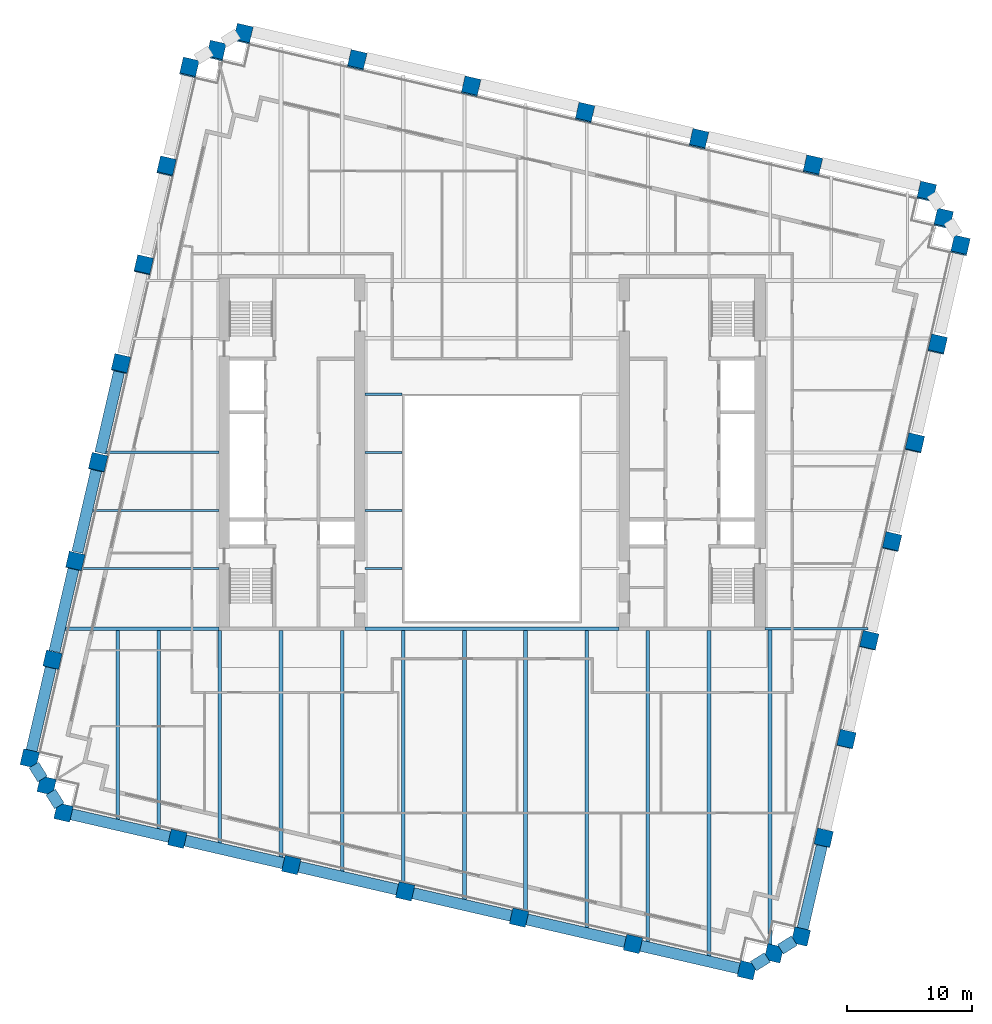
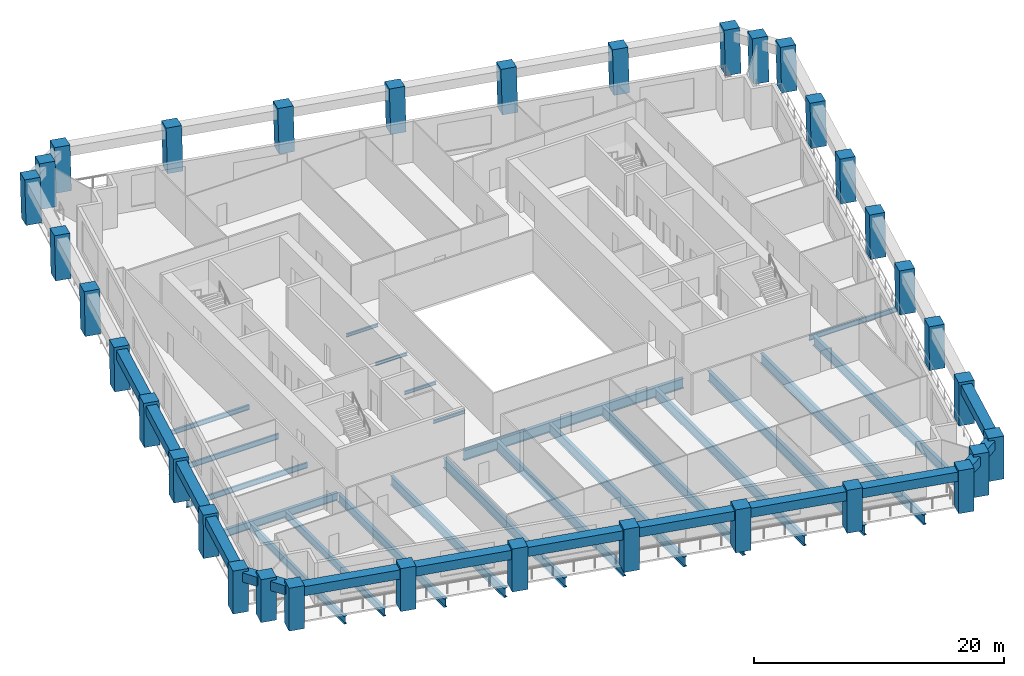
# One storey, part 1 of 9: 37 beams, 34 columns.
"""IFC4 building model written with IfcOpenShell, lengths in metres."""

from ifc_helpers import new_model, si_unit, direction, frame, origin, origin_2d, place, context, subcontext, project, spatial, rectangle, i_section, extrude, material, material_profile, profile_set, type_object, element, save


model = new_model("IFC4")

# Units and contexts
model_context = context("Model", 3, precision=1e-05, world=origin(), true_north=direction((0.0, 1.0)))
body_context = subcontext(model_context, "Body", "Model", "MODEL_VIEW")
ifc_project = project(units=[si_unit("LENGTHUNIT", "METRE"), si_unit("AREAUNIT", "SQUARE_METRE"), si_unit("VOLUMEUNIT", "CUBIC_METRE"), si_unit("PLANEANGLEUNIT", "RADIAN"), si_unit("MASSUNIT", "GRAM", prefix="KILO")], contexts=[model_context])

# Site, building, storey
site_placement = place(None, origin())
site = spatial("IfcSite", under=ifc_project, at=site_placement, CompositionType="ELEMENT")
building_placement = place(site_placement, origin())
building = spatial("IfcBuilding", under=site, at=building_placement, Name="Ogive Exchange Tower", CompositionType="ELEMENT")
storey_placement = place(building_placement, frame((0.0, 0.0, 122.39990234375)))
storey = spatial("IfcBuildingStorey", under=building, at=storey_placement, Name="L26", CompositionType="ELEMENT", Elevation=122.39990234375)

# Columns
ifc_material_1 = material(Name="Precast concrete C70/85 (limestone faced)", Category="masonry")
ifc_material_profile_1 = material_profile(ifc_material_1, rectangle(XDim=1.300048828125, YDim=1.300048828125, at=origin_2d()), Name="1300 x 1300")
ifc_profile_set_1 = profile_set([ifc_material_profile_1], Name="Precast concrete C70/85 (limestone faced)")
column_type = type_object("IfcColumnType", Name="Precast exoskeleton leg 1300 x 1300 C70/85", PredefinedType="COLUMN", material=ifc_profile_set_1)
for number, where, z_axis, x_axis, name in (
    (1, (-34.281982421875, -17.298095703125, 0.0), (0.0, 0.0, 1.0), (0.974370064785, -0.224951054344, 0.0), "Exoskeleton leg 1"),
    (2, (-25.171630859375, -19.401611328125, 0.0), (0.0, 0.0, 1.0), (0.974370064785, -0.224951054344, 0.0), "Exoskeleton leg 2"),
    (3, (-16.061279296875, -21.504638671875, 0.0), (0.0, 0.0, 1.0), (0.974370064785, -0.224951054344, 0.0), "Exoskeleton leg 3"),
    (4, (-6.950927734375, -23.60791015625, 0.0), (0.0, 0.0, 1.0), (0.974370064785, -0.224951054344, 0.0), "Exoskeleton leg 4"),
    (5, (2.159423828125, -25.711181640625, 0.0), (0.0, 0.0, 1.0), (0.974370064785, -0.224951054344, 0.0), "Exoskeleton leg 5"),
    (6, (11.269775390625, -27.814697265625, 0.0), (0.0, 0.0, 1.0), (0.974370064785, -0.224951054344, 0.0), "Exoskeleton leg 6"),
    (7, (20.380126953125, -29.91796875, 0.0), (0.0, 0.0, 1.0), (0.974370064785, -0.224951054344, 0.0), "Exoskeleton leg 7"),
    (8, (24.697509765625, -27.219970703125, 0.0), (0.0, 0.0, 1.0), (0.974370064785, -0.224951054344, 0.0), "Exoskeleton leg 8"),
):
    element("IfcColumn", number, at=place(storey_placement, frame(where, z_axis=z_axis, x_axis=x_axis)), inside=storey, type_object=column_type, Name=name, PredefinedType="COLUMN", context=body_context, shape_type="SweptSolid", body=[
        extrude(rectangle(XDim=1.300048828125, YDim=1.300048828125, at=origin_2d()), origin(), (0.0, 0.0, 1.0), 4.2001953125),
    ])
column_1_placement = place(storey_placement, frame((26.518798828125, -19.331298828125, 0.0), z_axis=(0.002906057426, 0.012612289227, 0.999916238987), x_axis=(-0.974466825284, 0.224531526563, 0.0)))
element("IfcColumn", 9, at=column_1_placement, inside=storey, type_object=column_type, Name="Exoskeleton leg 9", PredefinedType="COLUMN", context=body_context, shape_type="SweptSolid", body=[
    extrude(rectangle(XDim=1.300048828125, YDim=1.300048828125, at=origin_2d()), origin(), (0.0, 0.0, 1.0), 4.200439453125),
])
column_2_placement = place(storey_placement, frame((28.340087890625, -11.44287109375, 0.0), z_axis=(0.005810637908, 0.02533438128, 0.999662145733), x_axis=(-0.974691740237, 0.22355315143, 0.0)))
element("IfcColumn", 10, at=column_2_placement, inside=storey, type_object=column_type, Name="Exoskeleton leg 10", PredefinedType="COLUMN", context=body_context, shape_type="SweptSolid", body=[
    extrude(rectangle(XDim=1.300048828125, YDim=1.300048828125, at=origin_2d()), origin(), (0.0, 0.0, 1.0), 4.20166015625),
])
column_3_placement = place(storey_placement, frame((30.161376953125, -3.55419921875, 0.0), z_axis=(0.008712298116, 0.0379275378, 0.999242511975), x_axis=(-0.974617095667, 0.223878352757, 0.0)))
element("IfcColumn", 11, at=column_3_placement, inside=storey, type_object=column_type, Name="Exoskeleton leg 11", PredefinedType="COLUMN", context=body_context, shape_type="SweptSolid", body=[
    extrude(rectangle(XDim=1.300048828125, YDim=1.300048828125, at=origin_2d()), origin(), (0.0, 0.0, 1.0), 4.203369140625),
])
column_4_placement = place(storey_placement, frame((31.982666015625, 4.33447265625, 0.0), z_axis=(0.011609550877, 0.05055959407, 0.998653566446), x_axis=(-0.974635787342, 0.223796966095, 0.0)))
element("IfcColumn", 12, at=column_4_placement, inside=storey, type_object=column_type, Name="Exoskeleton leg 12", PredefinedType="COLUMN", context=body_context, shape_type="SweptSolid", body=[
    extrude(rectangle(XDim=1.300048828125, YDim=1.300048828125, at=origin_2d()), origin(), (0.0, 0.0, 1.0), 4.205810546875),
])
column_5_placement = place(storey_placement, frame((33.8037109375, 12.222900390625, 0.0), z_axis=(0.014558945825, 0.063166103598, 0.997896828561), x_axis=(-0.97445148511, 0.224598092528, 0.0)))
element("IfcColumn", 13, at=column_5_placement, inside=storey, type_object=column_type, Name="Exoskeleton leg 13", PredefinedType="COLUMN", context=body_context, shape_type="SweptSolid", body=[
    extrude(rectangle(XDim=1.300048828125, YDim=1.300048828125, at=origin_2d()), origin(), (0.0, 0.0, 1.0), 4.208984375),
])
column_6_placement = place(storey_placement, frame((35.625, 20.111572265625, 0.0), z_axis=(0.017443081717, 0.075683271502, 0.996979328429), x_axis=(-0.974454034257, 0.224587032398, 0.0)))
element("IfcColumn", 14, at=column_6_placement, inside=storey, type_object=column_type, Name="Exoskeleton leg 14", PredefinedType="COLUMN", context=body_context, shape_type="SweptSolid", body=[
    extrude(rectangle(XDim=1.300048828125, YDim=1.300048828125, at=origin_2d()), origin(), (0.0, 0.0, 1.0), 4.212890625),
])
for number, where, z_axis, x_axis, name in (
    (15, (37.4462890625, 28.000244140625, 0.0), (0.020318455144, 0.088220300968, 0.995893738748), (-0.974488096918, 0.224439187676, 0.0), "Exoskeleton leg 15"),
    (16, (34.748291015625, 32.31787109375, 0.0), (0.020376422505, 0.088162759874, 0.995897649951), (-0.97431566651, 0.225186549318, 0.0), "Exoskeleton leg 16"),
    (17, (25.637939453125, 34.421142578125, 0.0), (0.02037631848, 0.088220197057, 0.99589256573), (-0.97434807649, 0.225046274885, 0.0), "Exoskeleton leg 17"),
    (18, (16.527587890625, 36.5244140625, 0.0), (0.02037631848, 0.088220197057, 0.99589256573), (-0.97434807649, 0.225046274885, 0.0), "Exoskeleton leg 18"),
    (19, (7.417236328125, 38.627685546875, 0.0), (0.02037631848, 0.088220197057, 0.99589256573), (-0.97434807649, 0.225046274885, 0.0), "Exoskeleton leg 19"),
    (20, (-1.693115234375, 40.73095703125, 0.0), (0.02037631848, 0.088220197057, 0.99589256573), (-0.97434807649, 0.225046274885, 0.0), "Exoskeleton leg 20"),
    (21, (-10.803466796875, 42.834228515625, 0.0), (0.02037631848, 0.088220197057, 0.99589256573), (-0.97434807649, 0.225046274885, 0.0), "Exoskeleton leg 21"),
    (22, (-19.913818359375, 44.9375, 0.0), (0.02037631848, 0.088220197057, 0.99589256573), (-0.97434807649, 0.225046274885, 0.0), "Exoskeleton leg 22"),
    (23, (-24.2314453125, 42.239501953125, 0.0), (0.02037631848, 0.088220197057, 0.99589256573), (-0.97434807649, 0.225046274885, 0.0), "Exoskeleton leg 23"),
):
    element("IfcColumn", number, at=place(storey_placement, frame(where, z_axis=z_axis, x_axis=x_axis)), inside=storey, type_object=column_type, Name=name, PredefinedType="COLUMN", context=body_context, shape_type="SweptSolid", body=[
        extrude(rectangle(XDim=1.300048828125, YDim=1.300048828125, at=origin_2d()), origin(), (0.0, 0.0, 1.0), 4.217529296875),
    ])
column_7_placement = place(storey_placement, frame((-26.052490234375, 34.35107421875, 0.0), z_axis=(0.017443081717, 0.075683271502, 0.996979328429), x_axis=(-0.974454034257, 0.224587032398, 0.0)))
element("IfcColumn", 24, at=column_7_placement, inside=storey, type_object=column_type, Name="Exoskeleton leg 24", PredefinedType="COLUMN", context=body_context, shape_type="SweptSolid", body=[
    extrude(rectangle(XDim=1.300048828125, YDim=1.300048828125, at=origin_2d()), origin(), (0.0, 0.0, 1.0), 4.212890625),
])
column_8_placement = place(storey_placement, frame((-27.873779296875, 26.46240234375, 0.0), z_axis=(0.014558999143, 0.063108330945, 0.997900483069), x_axis=(-0.97440628778, 0.224794097641, 0.0)))
element("IfcColumn", 25, at=column_8_placement, inside=storey, type_object=column_type, Name="Exoskeleton leg 25", PredefinedType="COLUMN", context=body_context, shape_type="SweptSolid", body=[
    extrude(rectangle(XDim=1.300048828125, YDim=1.300048828125, at=origin_2d()), origin(), (0.0, 0.0, 1.0), 4.208984375),
])
column_9_placement = place(storey_placement, frame((-29.695068359375, 18.57373046875, 0.0), z_axis=(0.011667590749, 0.050559559912, 0.998652891764), x_axis=(-0.974391195695, 0.224859506699, 0.0)))
element("IfcColumn", 26, at=column_9_placement, inside=storey, type_object=column_type, Name="Exoskeleton leg 26", PredefinedType="COLUMN", context=body_context, shape_type="SweptSolid", body=[
    extrude(rectangle(XDim=1.300048828125, YDim=1.300048828125, at=origin_2d()), origin(), (0.0, 0.0, 1.0), 4.205810546875),
])
column_10_placement = place(storey_placement, frame((-31.516357421875, 10.685302734375, 0.0), z_axis=(0.008770394957, 0.037869519945, 0.999244204202), x_axis=(-0.974214614928, 0.225623323396, 0.0)))
element("IfcColumn", 27, at=column_10_placement, inside=storey, type_object=column_type, Name="Exoskeleton leg 27", PredefinedType="COLUMN", context=body_context, shape_type="SweptSolid", body=[
    extrude(rectangle(XDim=1.300048828125, YDim=1.300048828125, at=origin_2d()), origin(), (0.0, 0.0, 1.0), 4.203369140625),
])
column_11_placement = place(storey_placement, frame((-33.33740234375, 2.796630859375, 0.0), z_axis=(0.005810646452, 0.025276312067, 0.999663615641), x_axis=(-0.974579651079, 0.224041299099, 0.0)))
element("IfcColumn", 28, at=column_11_placement, inside=storey, type_object=column_type, Name="Exoskeleton leg 28", PredefinedType="COLUMN", context=body_context, shape_type="SweptSolid", body=[
    extrude(rectangle(XDim=1.300048828125, YDim=1.300048828125, at=origin_2d()), origin(), (0.0, 0.0, 1.0), 4.20166015625),
])
column_12_placement = place(storey_placement, frame((-35.15869140625, -5.092041015625, 0.0), z_axis=(0.00290605529, 0.012670401066, 0.99991550432), x_axis=(-0.974691740237, 0.22355315143, 0.0)))
element("IfcColumn", 29, at=column_12_placement, inside=storey, type_object=column_type, Name="Exoskeleton leg 29", PredefinedType="COLUMN", context=body_context, shape_type="SweptSolid", body=[
    extrude(rectangle(XDim=1.300048828125, YDim=1.300048828125, at=origin_2d()), origin(), (0.0, 0.0, 1.0), 4.200439453125),
])
for number, where, z_axis, x_axis, name in (
    (30, (-36.97998046875, -12.980712890625, 0.0), (0.0, 0.0, 1.0), (0.974370064785, -0.224951054344, 0.0), "Exoskeleton leg 30"),
    (31, (22.538818359375, -28.569091796875, 0.0), (0.0, 0.0, 1.0), (0.974370064785, -0.224951054344, 0.0), "Exoskeleton leg 31"),
):
    element("IfcColumn", number, at=place(storey_placement, frame(where, z_axis=z_axis, x_axis=x_axis)), inside=storey, type_object=column_type, Name=name, PredefinedType="COLUMN", context=body_context, shape_type="SweptSolid", body=[
        extrude(rectangle(XDim=1.300048828125, YDim=1.300048828125, at=origin_2d()), origin(), (0.0, 0.0, 1.0), 4.2001953125),
    ])
for number, where, z_axis, x_axis, name in (
    (32, (36.097412109375, 30.158935546875, 0.0), (0.020318455144, 0.088220300968, 0.995893738748), (-0.974488096918, 0.224439187676, 0.0), "Exoskeleton leg 32"),
    (33, (-22.072509765625, 43.588623046875, 0.0), (0.020318455144, 0.088220300968, 0.995893738748), (-0.974488096918, 0.224439187676, 0.0), "Exoskeleton leg 33"),
):
    element("IfcColumn", number, at=place(storey_placement, frame(where, z_axis=z_axis, x_axis=x_axis)), inside=storey, type_object=column_type, Name=name, PredefinedType="COLUMN", context=body_context, shape_type="SweptSolid", body=[
        extrude(rectangle(XDim=1.300048828125, YDim=1.300048828125, at=origin_2d()), origin(), (0.0, 0.0, 1.0), 4.217529296875),
    ])
column_13_placement = place(storey_placement, frame((-35.631103515625, -15.139404296875, 0.0), z_axis=(0.0, 0.0, 1.0), x_axis=(0.974370064785, -0.224951054344, 0.0)))
element("IfcColumn", 34, at=column_13_placement, inside=storey, type_object=column_type, Name="Exoskeleton leg 34", PredefinedType="COLUMN", context=body_context, shape_type="SweptSolid", body=[
    extrude(rectangle(XDim=1.300048828125, YDim=1.300048828125, at=origin_2d()), origin(), (0.0, 0.0, 1.0), 4.2001953125),
])

# Beams
ifc_material_2 = material(Name="Steel ASTM A992 Gr50", Category="steel")
ifc_material_profile_2 = material_profile(ifc_material_2, i_section(OverallWidth=0.300048828125, OverallDepth=0.969970703125, WebThickness=0.01611328125, FlangeThickness=0.02099609375, at=origin_2d()), Name="W1000x222")
ifc_profile_set_2 = profile_set([ifc_material_profile_2], Name="Steel ASTM A992 Gr50")
beam_type_1 = type_object("IfcBeamType", Name="Floor beam W1000x222", PredefinedType="JOIST", material=ifc_profile_set_2)
beam_1_placement = place(storey_placement, frame((-7.1015625, -23.111328125, -0.684814453125), z_axis=(0.0, 1.0, 0.0), x_axis=(-1.0, 0.0, 0.0)))
element("IfcBeam", 35, at=beam_1_placement, inside=storey, type_object=beam_type_1, Name="Floor beam", PredefinedType="JOIST", context=body_context, shape_type="SweptSolid", body=[
    extrude(i_section(OverallWidth=0.300048828125, OverallDepth=0.969970703125, WebThickness=0.01611328125, FlangeThickness=0.02099609375, at=origin_2d()), origin(), (0.0, 0.0, 1.0), 20.3662109375),
])
ifc_material_profile_3 = material_profile(ifc_material_2, i_section(OverallWidth=0.300048828125, OverallDepth=0.97998046875, WebThickness=0.0166015625, FlangeThickness=0.026123046875, at=origin_2d()), Name="W1000x249")
ifc_profile_set_3 = profile_set([ifc_material_profile_3], Name="Steel ASTM A992 Gr50")
beam_type_2 = type_object("IfcBeamType", Name="Floor beam W1000x249", PredefinedType="JOIST", material=ifc_profile_set_3)
beam_2_placement = place(storey_placement, frame((-2.2119140625, -24.390380859375, -0.68994140625), z_axis=(0.0, 1.0, 0.0), x_axis=(-1.0, 0.0, 0.0)))
element("IfcBeam", 36, at=beam_2_placement, inside=storey, type_object=beam_type_2, Name="Floor beam", PredefinedType="JOIST", context=body_context, shape_type="SweptSolid", body=[
    extrude(i_section(OverallWidth=0.300048828125, OverallDepth=0.97998046875, WebThickness=0.0166015625, FlangeThickness=0.026123046875, at=origin_2d()), origin(), (0.0, 0.0, 1.0), 21.645263671875),
])
beam_3_placement = place(storey_placement, frame((2.677978515625, -25.369140625, -0.68994140625), z_axis=(0.0, 1.0, 0.0), x_axis=(-1.0, 0.0, 0.0)))
element("IfcBeam", 37, at=beam_3_placement, inside=storey, type_object=beam_type_2, Name="Floor beam", PredefinedType="JOIST", context=body_context, shape_type="SweptSolid", body=[
    extrude(i_section(OverallWidth=0.300048828125, OverallDepth=0.97998046875, WebThickness=0.0166015625, FlangeThickness=0.026123046875, at=origin_2d()), origin(), (0.0, 0.0, 1.0), 22.6240234375),
])
beam_4_placement = place(storey_placement, frame((7.56787109375, -26.648193359375, -0.68994140625), z_axis=(0.0, 1.0, 0.0), x_axis=(-1.0, 0.0, 0.0)))
element("IfcBeam", 38, at=beam_4_placement, inside=storey, type_object=beam_type_2, Name="Floor beam", PredefinedType="JOIST", context=body_context, shape_type="SweptSolid", body=[
    extrude(i_section(OverallWidth=0.300048828125, OverallDepth=0.97998046875, WebThickness=0.0166015625, FlangeThickness=0.026123046875, at=origin_2d()), origin(), (0.0, 0.0, 1.0), 23.903076171875),
])
beam_5_placement = place(storey_placement, frame((12.45751953125, -27.777099609375, -0.68994140625), z_axis=(0.0, 1.0, 0.0), x_axis=(-1.0, 0.0, 0.0)))
element("IfcBeam", 39, at=beam_5_placement, inside=storey, type_object=beam_type_2, Name="Floor beam", PredefinedType="JOIST", context=body_context, shape_type="SweptSolid", body=[
    extrude(i_section(OverallWidth=0.300048828125, OverallDepth=0.97998046875, WebThickness=0.0166015625, FlangeThickness=0.026123046875, at=origin_2d()), origin(), (0.0, 0.0, 1.0), 25.027099609375),
])
beam_6_placement = place(storey_placement, frame((17.347412109375, -28.906005859375, -0.68994140625), z_axis=(0.0, 1.0, 0.0), x_axis=(-1.0, 0.0, 0.0)))
element("IfcBeam", 40, at=beam_6_placement, inside=storey, type_object=beam_type_2, Name="Floor beam", PredefinedType="JOIST", context=body_context, shape_type="SweptSolid", body=[
    extrude(i_section(OverallWidth=0.300048828125, OverallDepth=0.97998046875, WebThickness=0.0166015625, FlangeThickness=0.026123046875, at=origin_2d()), origin(), (0.0, 0.0, 1.0), 26.156005859375),
])
beam_7_placement = place(storey_placement, frame((22.2373046875, -27.875244140625, -0.68994140625), z_axis=(0.0, 1.0, 0.0), x_axis=(-1.0, 0.0, 0.0)))
element("IfcBeam", 41, at=beam_7_placement, inside=storey, type_object=beam_type_2, Name="Floor beam", PredefinedType="JOIST", context=body_context, shape_type="SweptSolid", body=[
    extrude(i_section(OverallWidth=0.300048828125, OverallDepth=0.97998046875, WebThickness=0.0166015625, FlangeThickness=0.026123046875, at=origin_2d()), origin(), (0.0, 0.0, 1.0), 25.184326171875),
])
ifc_material_profile_4 = material_profile(ifc_material_2, i_section(OverallWidth=0.1650390625, OverallDepth=0.31005859375, WebThickness=0.005859375, FlangeThickness=0.009765625, at=origin_2d()), Name="W310x38.7")
ifc_profile_set_4 = profile_set([ifc_material_profile_4], Name="Steel ASTM A992 Gr50")
beam_type_3 = type_object("IfcBeamType", Name="Floor beam W310x38.7", PredefinedType="JOIST", material=ifc_profile_set_4)
for number, where, z_axis, x_axis, name in (
    (42, (-10.169921875, 2.208740234375, -0.35498046875), (1.0, 0.0, 0.0), (0.0, 1.0, 0.0), "Floor beam"),
    (43, (-10.169921875, 6.857421875, -0.35498046875), (1.0, 0.0, 0.0), (0.0, 1.0, 0.0), "Floor beam"),
    (44, (-10.169921875, 11.50634765625, -0.35498046875), (1.0, 0.0, 0.0), (0.0, 1.0, 0.0), "Floor beam"),
):
    element("IfcBeam", number, at=place(storey_placement, frame(where, z_axis=z_axis, x_axis=x_axis)), inside=storey, type_object=beam_type_3, Name=name, PredefinedType="JOIST", context=body_context, shape_type="SweptSolid", body=[
        extrude(i_section(OverallWidth=0.1650390625, OverallDepth=0.31005859375, WebThickness=0.005859375, FlangeThickness=0.009765625, at=origin_2d()), origin(), (0.0, 0.0, 1.0), 2.949951171875),
    ])
ifc_material_profile_5 = material_profile(ifc_material_2, i_section(OverallWidth=0.19091796875, OverallDepth=0.45703125, WebThickness=0.009033203125, FlangeThickness=0.014404296875, at=origin_2d()), Name="W460x74")
ifc_profile_set_5 = profile_set([ifc_material_profile_5], Name="Steel ASTM A992 Gr50")
beam_type_4 = type_object("IfcBeamType", Name="Floor beam W460x74", PredefinedType="JOIST", material=ifc_profile_set_5)
beam_8_placement = place(storey_placement, frame((-30.864990234375, 11.50634765625, -0.428466796875), z_axis=(1.0, 0.0, 0.0), x_axis=(0.0, 1.0, 0.0)))
element("IfcBeam", 45, at=beam_8_placement, inside=storey, type_object=beam_type_4, Name="Floor beam", PredefinedType="JOIST", context=body_context, shape_type="SweptSolid", body=[
    extrude(i_section(OverallWidth=0.19091796875, OverallDepth=0.45703125, WebThickness=0.009033203125, FlangeThickness=0.014404296875, at=origin_2d()), origin(), (0.0, 0.0, 1.0), 9.034912109375),
])
ifc_material_profile_6 = material_profile(ifc_material_2, i_section(OverallWidth=0.1669921875, OverallDepth=0.535888671875, WebThickness=0.01025390625, FlangeThickness=0.0166015625, at=origin_2d()), Name="W530x85")
ifc_profile_set_6 = profile_set([ifc_material_profile_6], Name="Steel ASTM A992 Gr50")
beam_type_5 = type_object("IfcBeamType", Name="Floor beam W530x85", PredefinedType="JOIST", material=ifc_profile_set_6)
beam_9_placement = place(storey_placement, frame((-33.011474609375, 2.208740234375, -0.468017578125), z_axis=(1.0, 0.0, 0.0), x_axis=(0.0, 1.0, 0.0)))
element("IfcBeam", 46, at=beam_9_placement, inside=storey, type_object=beam_type_5, Name="Floor beam", PredefinedType="JOIST", context=body_context, shape_type="SweptSolid", body=[
    extrude(i_section(OverallWidth=0.1669921875, OverallDepth=0.535888671875, WebThickness=0.01025390625, FlangeThickness=0.0166015625, at=origin_2d()), origin(), (0.0, 0.0, 1.0), 11.181396484375),
])
beam_10_placement = place(storey_placement, frame((-31.938232421875, 6.857421875, -0.468017578125), z_axis=(1.0, 0.0, 0.0), x_axis=(0.0, 1.0, 0.0)))
element("IfcBeam", 47, at=beam_10_placement, inside=storey, type_object=beam_type_5, Name="Floor beam", PredefinedType="JOIST", context=body_context, shape_type="SweptSolid", body=[
    extrude(i_section(OverallWidth=0.1669921875, OverallDepth=0.535888671875, WebThickness=0.01025390625, FlangeThickness=0.0166015625, at=origin_2d()), origin(), (0.0, 0.0, 1.0), 10.108154296875),
])
ifc_material_profile_7 = material_profile(ifc_material_2, i_section(OverallWidth=0.26708984375, OverallDepth=0.75390625, WebThickness=0.01318359375, FlangeThickness=0.01708984375, at=origin_2d()), Name="W760x147")
ifc_profile_set_7 = profile_set([ifc_material_profile_7], Name="Steel ASTM A992 Gr50")
beam_type_6 = type_object("IfcBeamType", Name="Floor beam W760x147", PredefinedType="JOIST", material=ifc_profile_set_7)
beam_11_placement = place(storey_placement, frame((-29.950439453125, -17.986328125, -0.576904296875), z_axis=(0.0, 1.0, 0.0), x_axis=(-1.0, 0.0, 0.0)))
element("IfcBeam", 48, at=beam_11_placement, inside=storey, type_object=beam_type_6, Name="Floor beam", PredefinedType="JOIST", context=body_context, shape_type="SweptSolid", body=[
    extrude(i_section(OverallWidth=0.26708984375, OverallDepth=0.75390625, WebThickness=0.01318359375, FlangeThickness=0.01708984375, at=origin_2d()), origin(), (0.0, 0.0, 1.0), 15.2578125),
])
ifc_material_profile_8 = material_profile(ifc_material_2, i_section(OverallWidth=0.26708984375, OverallDepth=0.761962890625, WebThickness=0.014404296875, FlangeThickness=0.021484375, at=origin_2d()), Name="W760x173")
ifc_profile_set_8 = profile_set([ifc_material_profile_8], Name="Steel ASTM A992 Gr50")
beam_type_7 = type_object("IfcBeamType", Name="Floor beam W760x173", PredefinedType="JOIST", material=ifc_profile_set_8)
beam_12_placement = place(storey_placement, frame((-26.66064453125, -18.595947265625, -0.580810546875), z_axis=(0.0, 1.0, 0.0), x_axis=(-1.0, 0.0, 0.0)))
element("IfcBeam", 49, at=beam_12_placement, inside=storey, type_object=beam_type_7, Name="Floor beam", PredefinedType="JOIST", context=body_context, shape_type="SweptSolid", body=[
    extrude(i_section(OverallWidth=0.26708984375, OverallDepth=0.761962890625, WebThickness=0.014404296875, FlangeThickness=0.021484375, at=origin_2d()), origin(), (0.0, 0.0, 1.0), 15.867431640625),
])
ifc_material_profile_9 = material_profile(ifc_material_2, i_section(OverallWidth=0.2919921875, OverallDepth=0.8359375, WebThickness=0.013916015625, FlangeThickness=0.018798828125, at=origin_2d()), Name="W840x176")
ifc_profile_set_9 = profile_set([ifc_material_profile_9], Name="Steel ASTM A992 Gr50")
beam_type_8 = type_object("IfcBeamType", Name="Floor beam W840x176", PredefinedType="JOIST", material=ifc_profile_set_9)
beam_13_placement = place(storey_placement, frame((-21.77099609375, -19.874755859375, -0.617919921875), z_axis=(0.0, 1.0, 0.0), x_axis=(-1.0, 0.0, 0.0)))
element("IfcBeam", 50, at=beam_13_placement, inside=storey, type_object=beam_type_8, Name="Floor beam", PredefinedType="JOIST", context=body_context, shape_type="SweptSolid", body=[
    extrude(i_section(OverallWidth=0.2919921875, OverallDepth=0.8359375, WebThickness=0.013916015625, FlangeThickness=0.018798828125, at=origin_2d()), origin(), (0.0, 0.0, 1.0), 17.124755859375),
])
ifc_material_profile_10 = material_profile(ifc_material_2, i_section(OverallWidth=0.304931640625, OverallDepth=0.904052734375, WebThickness=0.01513671875, FlangeThickness=0.02001953125, at=origin_2d()), Name="W920x201")
ifc_profile_set_10 = profile_set([ifc_material_profile_10], Name="Steel ASTM A992 Gr50")
beam_type_9 = type_object("IfcBeamType", Name="Floor beam W920x201", PredefinedType="JOIST", material=ifc_profile_set_10)
beam_14_placement = place(storey_placement, frame((-16.881103515625, -21.003662109375, -0.65185546875), z_axis=(0.0, 1.0, 0.0), x_axis=(-1.0, 0.0, 0.0)))
element("IfcBeam", 51, at=beam_14_placement, inside=storey, type_object=beam_type_9, Name="Floor beam", PredefinedType="JOIST", context=body_context, shape_type="SweptSolid", body=[
    extrude(i_section(OverallWidth=0.304931640625, OverallDepth=0.904052734375, WebThickness=0.01513671875, FlangeThickness=0.02001953125, at=origin_2d()), origin(), (0.0, 0.0, 1.0), 18.253662109375),
])
ifc_material_profile_11 = material_profile(ifc_material_2, i_section(OverallWidth=0.306884765625, OverallDepth=0.927001953125, WebThickness=0.019287109375, FlangeThickness=0.031982421875, at=origin_2d()), Name="W920x289")
ifc_profile_set_11 = profile_set([ifc_material_profile_11], Name="Steel ASTM A992 Gr50")
beam_type_10 = type_object("IfcBeamType", Name="Floor beam W920x289", PredefinedType="JOIST", material=ifc_profile_set_11)
beam_15_placement = place(storey_placement, frame((-11.9912109375, -22.132568359375, -0.663330078125), z_axis=(0.0, 1.0, 0.0), x_axis=(-1.0, 0.0, 0.0)))
element("IfcBeam", 52, at=beam_15_placement, inside=storey, type_object=beam_type_10, Name="Floor beam", PredefinedType="JOIST", context=body_context, shape_type="SweptSolid", body=[
    extrude(i_section(OverallWidth=0.306884765625, OverallDepth=0.927001953125, WebThickness=0.019287109375, FlangeThickness=0.031982421875, at=origin_2d()), origin(), (0.0, 0.0, 1.0), 19.382568359375),
])
ifc_material_profile_12 = material_profile(ifc_material_2, i_section(OverallWidth=0.300048828125, OverallDepth=0.97998046875, WebThickness=0.0166015625, FlangeThickness=0.026123046875, at=origin_2d()), Name="W1000x249")
ifc_profile_set_12 = profile_set([ifc_material_profile_12], Name="Steel ASTM A992 Gr50")
beam_type_11 = type_object("IfcBeamType", Name="Girder W1000x249", PredefinedType="BEAM", material=ifc_profile_set_12)
beam_16_placement = place(storey_placement, frame((-10.169921875, -2.594970703125, -0.68994140625), z_axis=(1.0, 0.0, 0.0), x_axis=(0.0, 1.0, 0.0)))
element("IfcBeam", 53, at=beam_16_placement, inside=storey, type_object=beam_type_11, Name="Header girder", PredefinedType="BEAM", context=body_context, shape_type="SweptSolid", body=[
    extrude(i_section(OverallWidth=0.300048828125, OverallDepth=0.97998046875, WebThickness=0.0166015625, FlangeThickness=0.026123046875, at=origin_2d()), origin(), (0.0, 0.0, 1.0), 20.33984375),
])
ifc_material_profile_13 = material_profile(ifc_material_2, i_section(OverallWidth=0.1650390625, OverallDepth=0.31005859375, WebThickness=0.005859375, FlangeThickness=0.009765625, at=origin_2d()), Name="W310x38.7")
ifc_profile_set_13 = profile_set([ifc_material_profile_13], Name="Steel ASTM A992 Gr50")
beam_type_12 = type_object("IfcBeamType", Name="Girder W310x38.7", PredefinedType="BEAM", material=ifc_profile_set_13)
beam_17_placement = place(storey_placement, frame((-10.169921875, 16.155029296875, -0.35498046875), z_axis=(1.0, 0.0, 0.0), x_axis=(0.0, 1.0, 0.0)))
element("IfcBeam", 54, at=beam_17_placement, inside=storey, type_object=beam_type_12, Name="Trimmer girder", PredefinedType="BEAM", context=body_context, shape_type="SweptSolid", body=[
    extrude(i_section(OverallWidth=0.1650390625, OverallDepth=0.31005859375, WebThickness=0.005859375, FlangeThickness=0.009765625, at=origin_2d()), origin(), (0.0, 0.0, 1.0), 2.949951171875),
])
ifc_material_profile_14 = material_profile(ifc_material_2, i_section(OverallWidth=0.19189453125, OverallDepth=0.4619140625, WebThickness=0.010498046875, FlangeThickness=0.017578125, at=origin_2d()), Name="W460x89")
ifc_profile_set_14 = profile_set([ifc_material_profile_14], Name="Steel ASTM A992 Gr50")
beam_type_13 = type_object("IfcBeamType", Name="Girder W460x89", PredefinedType="BEAM", material=ifc_profile_set_14)
beam_18_placement = place(storey_placement, frame((21.830078125, -2.594970703125, -0.430908203125), z_axis=(1.0, 0.0, 0.0), x_axis=(0.0, 1.0, 0.0)))
element("IfcBeam", 55, at=beam_18_placement, inside=storey, type_object=beam_type_13, Name="Header girder", PredefinedType="BEAM", context=body_context, shape_type="SweptSolid", body=[
    extrude(i_section(OverallWidth=0.19189453125, OverallDepth=0.4619140625, WebThickness=0.010498046875, FlangeThickness=0.017578125, at=origin_2d()), origin(), (0.0, 0.0, 1.0), 8.24072265625),
])
ifc_material_profile_15 = material_profile(ifc_material_2, i_section(OverallWidth=0.26708984375, OverallDepth=0.75390625, WebThickness=0.01318359375, FlangeThickness=0.01708984375, at=origin_2d()), Name="W760x147")
ifc_profile_set_15 = profile_set([ifc_material_profile_15], Name="Steel ASTM A992 Gr50")
beam_type_14 = type_object("IfcBeamType", Name="Girder W760x147", PredefinedType="BEAM", material=ifc_profile_set_15)
beam_19_placement = place(storey_placement, frame((-34.2705078125, -2.594970703125, -0.576904296875), z_axis=(1.0, 0.0, 0.0), x_axis=(0.0, 1.0, 0.0)))
element("IfcBeam", 56, at=beam_19_placement, inside=storey, type_object=beam_type_14, Name="Header girder", PredefinedType="BEAM", context=body_context, shape_type="SweptSolid", body=[
    extrude(i_section(OverallWidth=0.26708984375, OverallDepth=0.75390625, WebThickness=0.01318359375, FlangeThickness=0.01708984375, at=origin_2d()), origin(), (0.0, 0.0, 1.0), 12.4404296875),
])
ifc_material_profile_16 = material_profile(ifc_material_1, rectangle(XDim=0.89990234375, YDim=0.89990234375, at=origin_2d()), Name="900 x 900")
ifc_profile_set_16 = profile_set([ifc_material_profile_16], Name="Precast concrete C70/85 (limestone faced)")
beam_type_15 = type_object("IfcBeamType", Name="Precast spandrel 900 x 900 C70/85", PredefinedType="SPANDREL", material=ifc_profile_set_16)
for number, where, z_axis, x_axis, name in (
    (57, (-33.668212890625, -17.43994140625, 3.5), (0.974370337884, -0.224949871421, 0.0), (0.224949871421, 0.974370337884, 0.0), "Spandrel 1"),
    (58, (-24.557861328125, -19.543212890625, 3.5), (0.974370337884, -0.224949871421, 0.0), (0.224949871421, 0.974370337884, 0.0), "Spandrel 2"),
):
    element("IfcBeam", number, at=place(storey_placement, frame(where, z_axis=z_axis, x_axis=x_axis)), inside=storey, type_object=beam_type_15, Name=name, PredefinedType="SPANDREL", context=body_context, shape_type="SweptSolid", body=[
        extrude(rectangle(XDim=0.89990234375, YDim=0.89990234375, at=origin_2d()), origin(), (0.0, 0.0, 1.0), 8.08984375),
    ])
beam_20_placement = place(storey_placement, frame((-15.447509765625, -21.646484375, 3.5), z_axis=(0.974371864918, -0.224943256972, 0.0), x_axis=(0.224943256972, 0.974371864918, 0.0)))
element("IfcBeam", 59, at=beam_20_placement, inside=storey, type_object=beam_type_15, Name="Spandrel 3", PredefinedType="SPANDREL", context=body_context, shape_type="SweptSolid", body=[
    extrude(rectangle(XDim=0.89990234375, YDim=0.89990234375, at=origin_2d()), origin(), (0.0, 0.0, 1.0), 8.090087890625),
])
beam_21_placement = place(storey_placement, frame((-6.337158203125, -23.749755859375, 3.5), z_axis=(0.974370337884, -0.224949871421, 0.0), x_axis=(0.224949871421, 0.974370337884, 0.0)))
element("IfcBeam", 60, at=beam_21_placement, inside=storey, type_object=beam_type_15, Name="Spandrel 4", PredefinedType="SPANDREL", context=body_context, shape_type="SweptSolid", body=[
    extrude(rectangle(XDim=0.89990234375, YDim=0.89990234375, at=origin_2d()), origin(), (0.0, 0.0, 1.0), 8.08984375),
])
beam_22_placement = place(storey_placement, frame((2.773193359375, -25.85302734375, 3.5), z_axis=(0.974371864918, -0.224943256972, 0.0), x_axis=(0.224943256972, 0.974371864918, 0.0)))
element("IfcBeam", 61, at=beam_22_placement, inside=storey, type_object=beam_type_15, Name="Spandrel 5", PredefinedType="SPANDREL", context=body_context, shape_type="SweptSolid", body=[
    extrude(rectangle(XDim=0.89990234375, YDim=0.89990234375, at=origin_2d()), origin(), (0.0, 0.0, 1.0), 8.090087890625),
])
beam_23_placement = place(storey_placement, frame((11.883544921875, -27.956298828125, 3.5), z_axis=(0.974370337884, -0.224949871421, 0.0), x_axis=(0.224949871421, 0.974370337884, 0.0)))
element("IfcBeam", 62, at=beam_23_placement, inside=storey, type_object=beam_type_15, Name="Spandrel 6", PredefinedType="SPANDREL", context=body_context, shape_type="SweptSolid", body=[
    extrude(rectangle(XDim=0.89990234375, YDim=0.89990234375, at=origin_2d()), origin(), (0.0, 0.0, 1.0), 8.08984375),
])
for number, where, z_axis, x_axis, name in (
    (63, (20.9052734375, -29.58984375, 3.5), (0.848040277303, 0.529931776808, 0.0), (-0.529931776808, 0.848040277303, 0.0), "Spandrel 7"),
    (64, (23.06396484375, -28.24072265625, 3.5), (0.848092721491, 0.529847842077, 0.0), (-0.529847842077, 0.848092721491, 0.0), "Spandrel 8"),
):
    element("IfcBeam", number, at=place(storey_placement, frame(where, z_axis=z_axis, x_axis=x_axis)), inside=storey, type_object=beam_type_15, Name=name, PredefinedType="SPANDREL", context=body_context, shape_type="SweptSolid", body=[
        extrude(rectangle(XDim=0.89990234375, YDim=0.89990234375, at=origin_2d()), origin(), (0.0, 0.0, 1.0), 1.30712890625),
    ])
beam_24_placement = place(storey_placement, frame((24.83935546875, -26.606201171875, 3.5), z_axis=(0.224947484592, 0.974370888921, 0.0), x_axis=(-0.974370888921, 0.224947484592, 0.0)))
element("IfcBeam", 65, at=beam_24_placement, inside=storey, type_object=beam_type_15, Name="Spandrel 9", PredefinedType="SPANDREL", context=body_context, shape_type="SweptSolid", body=[
    extrude(rectangle(XDim=0.89990234375, YDim=0.89990234375, at=origin_2d()), origin(), (0.0, 0.0, 1.0), 6.890625),
])
for number, where, z_axis, x_axis, name in (
    (66, (-29.78759765625, 18.172607421875, 3.5), (-0.224981121744, -0.97436312269, 0.0), (0.97436312269, -0.224981121744, 0.0), "Spandrel 29"),
    (67, (-31.62109375, 10.230712890625, 3.5), (-0.224981121744, -0.97436312269, 0.0), (0.97436312269, -0.224981121744, 0.0), "Spandrel 30"),
    (68, (-33.45458984375, 2.2890625, 3.5), (-0.224981121744, -0.97436312269, 0.0), (0.97436312269, -0.224981121744, 0.0), "Spandrel 31"),
    (69, (-35.2880859375, -5.652587890625, 3.5), (-0.224981121744, -0.97436312269, 0.0), (0.97436312269, -0.224981121744, 0.0), "Spandrel 32"),
):
    element("IfcBeam", number, at=place(storey_placement, frame(where, z_axis=z_axis, x_axis=x_axis)), inside=storey, type_object=beam_type_15, Name=name, PredefinedType="SPANDREL", context=body_context, shape_type="SweptSolid", body=[
        extrude(rectangle(XDim=0.89990234375, YDim=0.89990234375, at=origin_2d()), origin(), (0.0, 0.0, 1.0), 6.890869140625),
    ])
for number, where, z_axis, x_axis, name in (
    (70, (-36.65185546875, -13.505615234375, 3.5), (0.529847842077, -0.848092721491, 0.0), (0.848092721491, 0.529847842077, 0.0), "Spandrel 33"),
    (71, (-35.302978515625, -15.66455078125, 3.5), (0.530066093226, -0.847956329543, 0.0), (0.847956329543, 0.530066093226, 0.0), "Spandrel 34"),
):
    element("IfcBeam", number, at=place(storey_placement, frame(where, z_axis=z_axis, x_axis=x_axis)), inside=storey, type_object=beam_type_15, Name=name, PredefinedType="SPANDREL", context=body_context, shape_type="SweptSolid", body=[
        extrude(rectangle(XDim=0.89990234375, YDim=0.89990234375, at=origin_2d()), origin(), (0.0, 0.0, 1.0), 1.30712890625),
    ])

save(model, "model.ifc")
